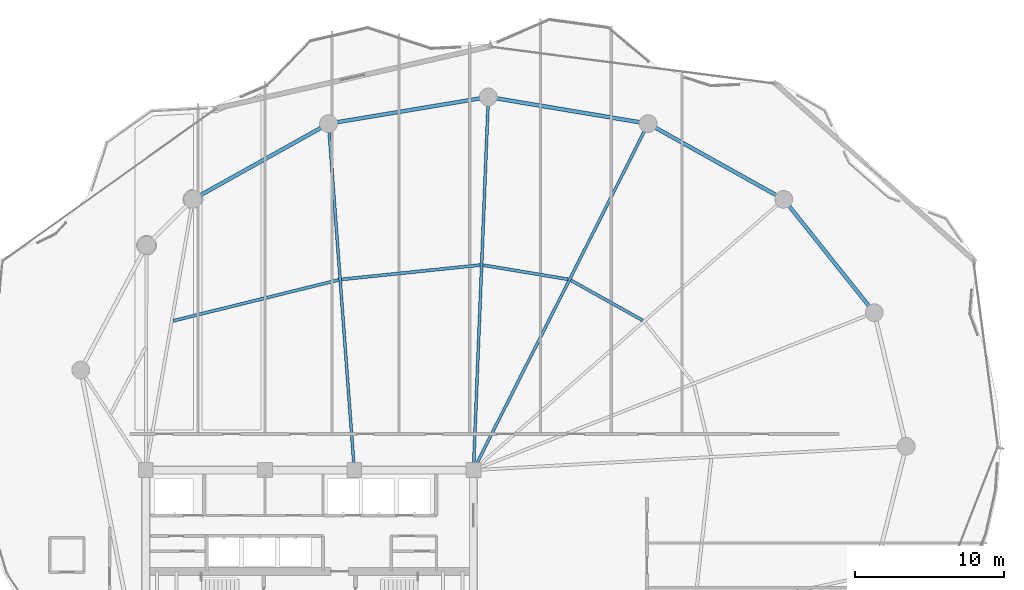
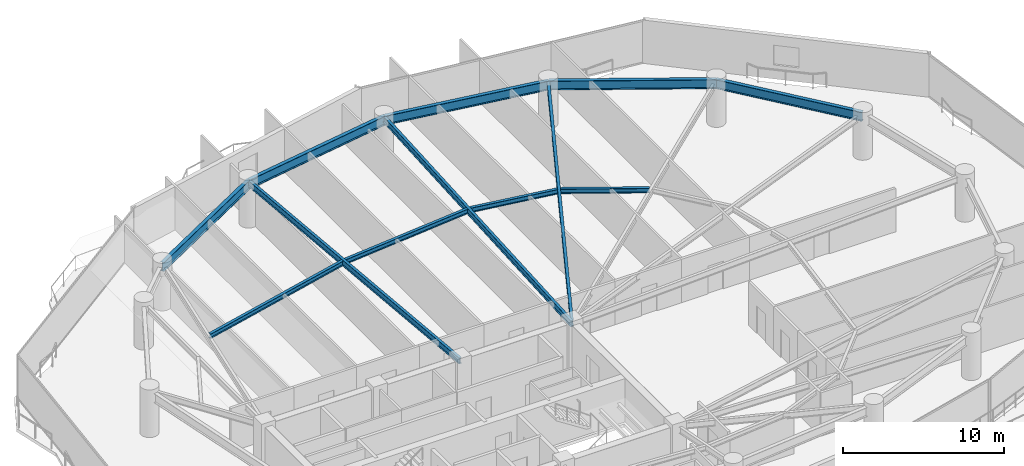
# One storey, part 20 of 33: 12 beams.
"""IFC4 building model written with IfcOpenShell, lengths in metres."""

from ifc_helpers import new_model, si_unit, direction, frame, origin, origin_2d, place, context, subcontext, project, spatial, i_section, extrude, material, material_profile, profile_set, type_object, element, save


model = new_model("IFC4")

# Units and contexts
model_context = context("Model", 3, precision=1e-05, world=origin(), true_north=direction((0.0, 1.0)))
body_context = subcontext(model_context, "Body", "Model", "MODEL_VIEW")
ifc_project = project(units=[si_unit("LENGTHUNIT", "METRE"), si_unit("AREAUNIT", "SQUARE_METRE"), si_unit("VOLUMEUNIT", "CUBIC_METRE"), si_unit("PLANEANGLEUNIT", "RADIAN"), si_unit("MASSUNIT", "GRAM", prefix="KILO")], contexts=[model_context])

# Site, building, storey
site_placement = place(None, origin())
site = spatial("IfcSite", under=ifc_project, at=site_placement, CompositionType="ELEMENT")
building_placement = place(site_placement, origin())
building = spatial("IfcBuilding", under=site, at=building_placement, Name="Kazevale Care Tower and Concert Hall", CompositionType="ELEMENT")
storey_placement = place(building_placement, frame((0.0, 0.0, 178.199951171875)))
storey = spatial("IfcBuildingStorey", under=building, at=storey_placement, Name="L47", CompositionType="ELEMENT", Elevation=178.199951171875)

# Beams
ifc_material = material(Name="Steel ASTM A572 Gr 50", Category="steel")
ifc_material_profile_1 = material_profile(ifc_material, i_section(OverallWidth=0.19091796875, OverallDepth=0.4599609375, WebThickness=0.010009765625, FlangeThickness=0.01611328125, at=origin_2d()), Name="W460x82")
ifc_profile_set_1 = profile_set([ifc_material_profile_1], Name="Steel ASTM A572 Gr 50")
beam_type_1 = type_object("IfcBeamType", Name="Radial Floor Beam W460x82", PredefinedType="BEAM", material=ifc_profile_set_1)
beam_1_placement = place(storey_placement, frame((44.0, 36.39990234375, 3.050048828125), z_axis=(0.450281187568, 0.892886808124, 0.0), x_axis=(-0.892886808124, 0.450281187568, 0.0)))
element("IfcBeam", 1, at=beam_1_placement, inside=storey, type_object=beam_type_1, Name="beam:L47:rad:04", PredefinedType="BEAM", context=body_context, shape_type="SweptSolid", body=[
    extrude(i_section(OverallWidth=0.19091796875, OverallDepth=0.4599609375, WebThickness=0.010009765625, FlangeThickness=0.01611328125, at=origin_2d()), origin(), (0.0, 0.0, 1.0), 26.05029296875),
])
beam_2_placement = place(storey_placement, frame((44.0, 36.39990234375, 3.050048828125), z_axis=(0.039888311255, 0.99920414462, 0.0), x_axis=(-0.99920414462, 0.039888311255, 0.0)))
element("IfcBeam", 2, at=beam_2_placement, inside=storey, type_object=beam_type_1, Name="beam:L47:rad:05", PredefinedType="BEAM", context=body_context, shape_type="SweptSolid", body=[
    extrude(i_section(OverallWidth=0.19091796875, OverallDepth=0.4599609375, WebThickness=0.010009765625, FlangeThickness=0.01611328125, at=origin_2d()), origin(), (0.0, 0.0, 1.0), 25.070068359375),
])
beam_3_placement = place(storey_placement, frame((36.0, 36.39990234375, 3.050048828125), z_axis=(-0.074170876808, 0.997245547011, 0.0), x_axis=(-0.997245547011, -0.074170876808, 0.0)))
element("IfcBeam", 3, at=beam_3_placement, inside=storey, type_object=beam_type_1, Name="beam:L47:rad:06", PredefinedType="BEAM", context=body_context, shape_type="SweptSolid", body=[
    extrude(i_section(OverallWidth=0.19091796875, OverallDepth=0.4599609375, WebThickness=0.010009765625, FlangeThickness=0.01611328125, at=origin_2d()), origin(), (0.0, 0.0, 1.0), 23.32421875),
])
ifc_material_profile_2 = material_profile(ifc_material, i_section(OverallWidth=0.205078125, OverallDepth=0.35400390625, WebThickness=0.009521484375, FlangeThickness=0.016845703125, at=origin_2d()), Name="W360x79")
ifc_profile_set_2 = profile_set([ifc_material_profile_2], Name="Steel ASTM A572 Gr 50")
beam_type_2 = type_object("IfcBeamType", Name="Secondary Floor Joist W360x79", PredefinedType="JOIST", material=ifc_profile_set_2)
beam_4_placement = place(storey_placement, frame((55.364990234375, 46.449951171875, 3.10302734375), z_axis=(-0.873137755824, 0.487473547338, 0.0), x_axis=(-0.487473547338, -0.873137755824, 0.0)))
element("IfcBeam", 4, at=beam_4_placement, inside=storey, type_object=beam_type_2, Name="beam:L47:joist:03", PredefinedType="JOIST", context=body_context, shape_type="SweptSolid", body=[
    extrude(i_section(OverallWidth=0.205078125, OverallDepth=0.35400390625, WebThickness=0.009521484375, FlangeThickness=0.016845703125, at=origin_2d()), origin(), (0.0, 0.0, 1.0), 5.522705078125),
])
beam_5_placement = place(storey_placement, frame((50.347900390625, 49.2099609375, 3.10302734375), z_axis=(-0.986366476547, 0.164563586324, 0.0), x_axis=(-0.164563586324, -0.986366476547, 0.0)))
element("IfcBeam", 5, at=beam_5_placement, inside=storey, type_object=beam_type_2, Name="beam:L47:joist:04", PredefinedType="JOIST", context=body_context, shape_type="SweptSolid", body=[
    extrude(i_section(OverallWidth=0.205078125, OverallDepth=0.35400390625, WebThickness=0.009521484375, FlangeThickness=0.016845703125, at=origin_2d()), origin(), (0.0, 0.0, 1.0), 5.7724609375),
])
beam_6_placement = place(storey_placement, frame((44.446044921875, 50.1669921875, 3.10302734375), z_axis=(-0.994674810104, -0.10306319491, 0.0), x_axis=(0.10306319491, -0.994674810104, 0.0)))
element("IfcBeam", 6, at=beam_6_placement, inside=storey, type_object=beam_type_2, Name="beam:L47:joist:05", PredefinedType="JOIST", context=body_context, shape_type="SweptSolid", body=[
    extrude(i_section(OverallWidth=0.205078125, OverallDepth=0.35400390625, WebThickness=0.009521484375, FlangeThickness=0.016845703125, at=origin_2d()), origin(), (0.0, 0.0, 1.0), 9.3427734375),
])
beam_7_placement = place(storey_placement, frame((34.947021484375, 49.16796875, 3.10302734375), z_axis=(-0.970789504014, -0.239932779954, 0.0), x_axis=(0.239932779954, -0.970789504014, 0.0)))
element("IfcBeam", 7, at=beam_7_placement, inside=storey, type_object=beam_type_2, Name="beam:L47:joist:06", PredefinedType="JOIST", context=body_context, shape_type="SweptSolid", body=[
    extrude(i_section(OverallWidth=0.205078125, OverallDepth=0.35400390625, WebThickness=0.009521484375, FlangeThickness=0.016845703125, at=origin_2d()), origin(), (0.0, 0.0, 1.0), 11.43603515625),
])
ifc_material_profile_3 = material_profile(ifc_material, i_section(OverallWidth=0.256103515625, OverallDepth=0.693115234375, WebThickness=0.014404296875, FlangeThickness=0.023681640625, at=origin_2d()), Name="W690x170")
ifc_profile_set_3 = profile_set([ifc_material_profile_3], Name="Steel ASTM A572 Gr 50")
beam_type_3 = type_object("IfcBeamType", Name="Waist Ring Beam W690x170", PredefinedType="BEAM", material=ifc_profile_set_3)
beam_8_placement = place(storey_placement, frame((70.909912109375, 46.969970703125, 2.93359375), z_axis=(-0.624178340034, 0.781281895242, 0.0), x_axis=(-0.781281895242, -0.624178340034, 0.0)))
element("IfcBeam", 8, at=beam_8_placement, inside=storey, type_object=beam_type_3, Name="beam:L47:ring:02", PredefinedType="BEAM", context=body_context, shape_type="SweptSolid", body=[
    extrude(i_section(OverallWidth=0.256103515625, OverallDepth=0.693115234375, WebThickness=0.014404296875, FlangeThickness=0.023681640625, at=origin_2d()), origin(), (0.0, 0.0, 1.0), 9.740478515625),
])
beam_9_placement = place(storey_placement, frame((64.830078125, 54.580078125, 2.93359375), z_axis=(-0.873168720251, 0.487418081297, 0.0), x_axis=(-0.487418081297, -0.873168720251, 0.0)))
element("IfcBeam", 9, at=beam_9_placement, inside=storey, type_object=beam_type_3, Name="beam:L47:ring:03", PredefinedType="BEAM", context=body_context, shape_type="SweptSolid", body=[
    extrude(i_section(OverallWidth=0.256103515625, OverallDepth=0.693115234375, WebThickness=0.014404296875, FlangeThickness=0.023681640625, at=origin_2d()), origin(), (0.0, 0.0, 1.0), 10.421875),
])
for number, where, z_axis, x_axis, name in (
    (10, (55.72998046875, 59.659912109375, 2.93359375), (-0.986368436187, 0.164551840139, 0.0), (-0.164551840139, -0.986368436187, 0.0), "beam:L47:ring:04"),
    (11, (45.0, 61.449951171875, 2.93359375), (-0.986368436187, -0.164551840139, 0.0), (0.164551840139, -0.986368436187, 0.0), "beam:L47:ring:05"),
):
    element("IfcBeam", number, at=place(storey_placement, frame(where, z_axis=z_axis, x_axis=x_axis)), inside=storey, type_object=beam_type_3, Name=name, PredefinedType="BEAM", context=body_context, shape_type="SweptSolid", body=[
        extrude(i_section(OverallWidth=0.256103515625, OverallDepth=0.693115234375, WebThickness=0.014404296875, FlangeThickness=0.023681640625, at=origin_2d()), origin(), (0.0, 0.0, 1.0), 10.878173828125),
    ])
beam_10_placement = place(storey_placement, frame((34.27001953125, 59.659912109375, 2.93359375), z_axis=(-0.873168720251, -0.487418081297, 0.0), x_axis=(0.487418081297, -0.873168720251, 0.0)))
element("IfcBeam", 12, at=beam_10_placement, inside=storey, type_object=beam_type_3, Name="beam:L47:ring:06", PredefinedType="BEAM", context=body_context, shape_type="SweptSolid", body=[
    extrude(i_section(OverallWidth=0.256103515625, OverallDepth=0.693115234375, WebThickness=0.014404296875, FlangeThickness=0.023681640625, at=origin_2d()), origin(), (0.0, 0.0, 1.0), 10.421875),
])

save(model, "model.ifc")
